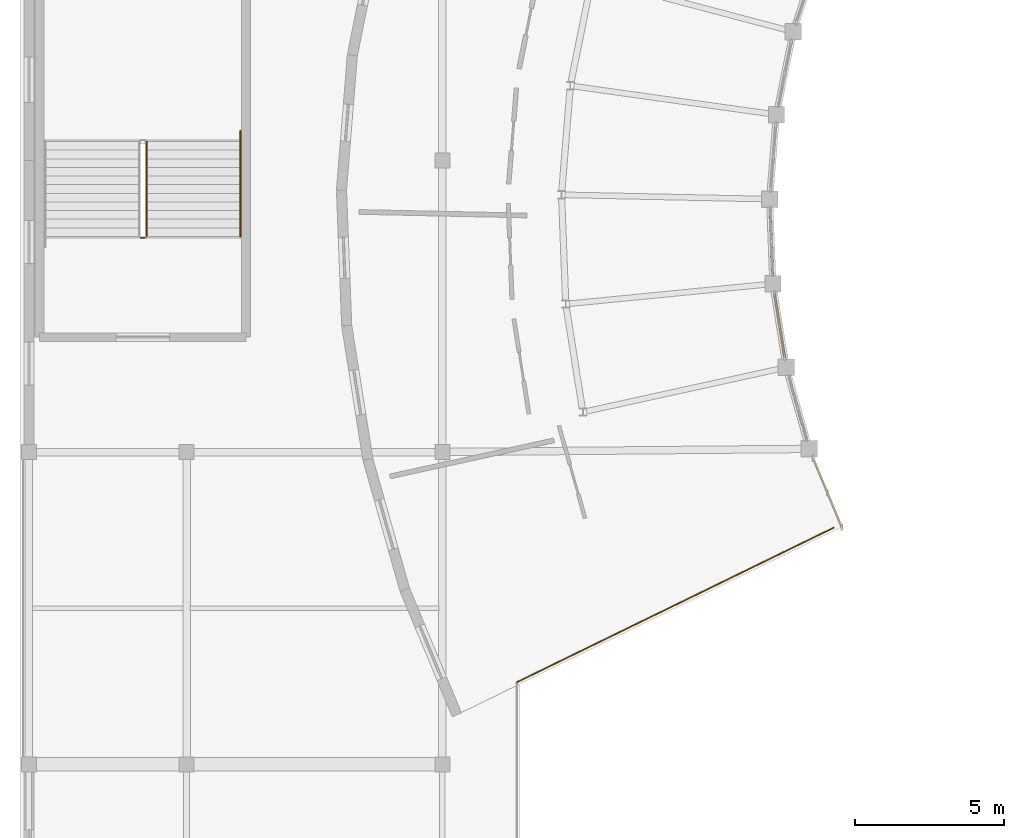
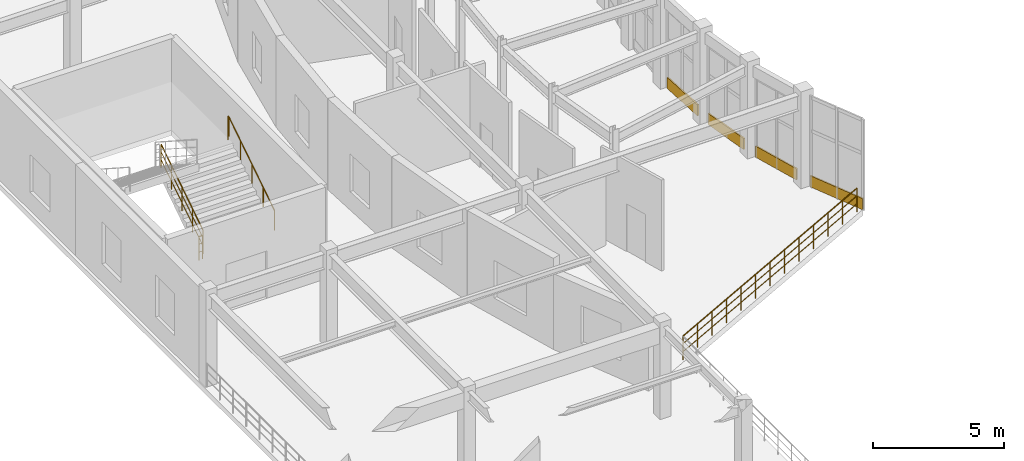
# One storey, part 102 of 112: 4 coverings, 4 railings.
"""IFC4 building model written with IfcOpenShell, lengths in metres."""

import ifcopenshell
import ifcopenshell.guid

model = None  # the IFC model being written
_history = None  # IfcOwnerHistory: only IFC2X3 demands one
_inside = {}  # id of a spatial element -> (the spatial element, [elements in it])
_under = {}  # id of a project, library or spatial element -> (it, [spatial elements below it])
_declared = {}  # id of a project -> (the project, [libraries it declares])
_typed = {}  # id of a type object -> (the type object, [elements of that type])
_made_of = {}  # id of a material, layer set ... -> (it, [elements and type objects made of it])


def new_model(schema):
    """Start an empty IFC model of exactly this schema.

    Asked for "IFC4X3", IfcOpenShell would pick the latest addendum, in which some entities
    have other attributes; the version numbers below select the first issue.
    IFC2X3 requires an IfcOwnerHistory on every rooted entity: one is made here for all.
    """
    global model, _history
    if schema == "IFC4X3":
        model = ifcopenshell.file(schema_version=(4, 3, 0, 0))
    else:
        model = ifcopenshell.file(schema=schema)
    _inside.clear()
    _under.clear()
    _declared.clear()
    _typed.clear()
    _made_of.clear()
    _history = None
    if model.schema == "IFC2X3":
        org = make("IfcOrganization", Name="unknown")
        user = make(
            "IfcPersonAndOrganization",
            ThePerson=make("IfcPerson", FamilyName="unknown"),
            TheOrganization=org,
        )
        app = make(
            "IfcApplication",
            ApplicationDeveloper=org,
            Version="unknown",
            ApplicationFullName="unknown",
            ApplicationIdentifier="unknown",
        )
        _history = make(
            "IfcOwnerHistory",
            OwningUser=user,
            OwningApplication=app,
            ChangeAction="ADDED",
            CreationDate=0,
        )
    return model


def make(cls, **values):
    """One entity of the class cls with the attributes given. An attribute that is None is left unset."""
    return model.create_entity(
        cls, **{name: value for name, value in values.items() if value is not None}
    )


def rooted(cls, **values):
    """An entity with a GlobalId (a new one), such as an element, a storey or a relation."""
    return make(cls, GlobalId=ifcopenshell.guid.new(), OwnerHistory=_history, **values)


def si_unit(unit_type, name, prefix=None):
    """IfcSIUnit, for example si_unit("LENGTHUNIT", "METRE", prefix="MILLI")."""
    return make("IfcSIUnit", UnitType=unit_type, Prefix=prefix, Name=name)


def assignment(units):
    """IfcUnitAssignment: the units of a project."""
    return None if units is None else make("IfcUnitAssignment", Units=units)


def point(xyz):
    """IfcCartesianPoint."""
    return None if xyz is None else make("IfcCartesianPoint", Coordinates=xyz)


def direction(xyz):
    """IfcDirection."""
    return None if xyz is None else make("IfcDirection", DirectionRatios=xyz)


def frame(location, z_axis=None, x_axis=None):
    """IfcAxis2Placement3D, a coordinate frame: its origin and axes. An axis left out is left unset."""
    return make(
        "IfcAxis2Placement3D",
        Location=point(location),
        Axis=direction(z_axis),
        RefDirection=direction(x_axis),
    )


def frame_2d(location, x_axis=None):
    """IfcAxis2Placement2D, a coordinate frame in the plane: its origin and x axis."""
    return make(
        "IfcAxis2Placement2D", Location=point(location), RefDirection=direction(x_axis)
    )


def origin():
    """The frame at (0, 0, 0) with its axes left unset."""
    return frame((0.0, 0.0, 0.0))


def origin_2d():
    """The frame at (0, 0) in the plane with its x axis left unset."""
    return frame_2d((0.0, 0.0))


def place(relative_to, where):
    """IfcLocalPlacement: puts the frame where relative to a parent placement (None: the world)."""
    return make(
        "IfcLocalPlacement", PlacementRelTo=relative_to, RelativePlacement=where
    )


def context(
    kind, dimensions, precision=None, world=None, true_north=None, identifier=None
):
    """IfcGeometricRepresentationContext, for example the 3D "Model" context."""
    return make(
        "IfcGeometricRepresentationContext",
        ContextIdentifier=identifier,
        ContextType=kind,
        CoordinateSpaceDimension=dimensions,
        Precision=precision,
        WorldCoordinateSystem=world,
        TrueNorth=true_north,
    )


def subcontext(parent, identifier, kind, view, scale=None):
    """IfcGeometricRepresentationSubContext, for example "Body" below "Model"."""
    return make(
        "IfcGeometricRepresentationSubContext",
        ContextIdentifier=identifier,
        ContextType=kind,
        ParentContext=parent,
        TargetScale=scale,
        TargetView=view,
    )


def project(units=None, contexts=None):
    """IfcProject with its units and contexts."""
    return rooted(
        "IfcProject",
        Name="project",
        RepresentationContexts=contexts,
        UnitsInContext=assignment(units),
    )


def spatial(cls, under=None, at=None, **own):
    """A site, building, storey or space (cls), placed at a placement, below another one or the project."""
    s = rooted(cls, ObjectPlacement=at, **own)
    if under is not None:
        _under.setdefault(under.id(), (under, []))[1].append(s)
    return s


def profile(cls, at=None, kind="AREA", **sizes):
    """A parametric profile (cls). Its sizes go by their IFC names, for example OverallWidth=200.0."""
    return make(cls, ProfileType=kind, Position=at, **sizes)


def rectangle(**sizes):
    """IfcRectangleProfileDef."""
    return profile("IfcRectangleProfileDef", **sizes)


def circle(**sizes):
    """IfcCircleProfileDef."""
    return profile("IfcCircleProfileDef", **sizes)


def extrude(swept, where, along, depth):
    """IfcExtrudedAreaSolid: the profile swept, set in the frame where, extruded along a direction by depth."""
    return make(
        "IfcExtrudedAreaSolid",
        SweptArea=swept,
        Position=where,
        ExtrudedDirection=direction(along),
        Depth=depth,
    )


def shape(context_of_items, identifier, shape_type, items):
    """IfcShapeRepresentation: the items that make up one representation, for example the "Body"."""
    return make(
        "IfcShapeRepresentation",
        ContextOfItems=context_of_items,
        RepresentationIdentifier=identifier,
        RepresentationType=shape_type,
        Items=items,
    )


def material(Name=None, Category=None):
    """IfcMaterial."""
    return make("IfcMaterial", Name=Name, Category=Category)


def layer(
    of_material, thickness, ventilated=None, Name=None, Category=None, Priority=None
):
    """IfcMaterialLayer: one layer of a wall or slab, of a material (None: an air gap)."""
    return make(
        "IfcMaterialLayer",
        Material=of_material,
        LayerThickness=thickness,
        IsVentilated=ventilated,
        Name=Name,
        Category=Category,
        Priority=Priority,
    )


def layer_set(layers, Name=None):
    """IfcMaterialLayerSet."""
    return make("IfcMaterialLayerSet", MaterialLayers=layers, LayerSetName=Name)


def made_of(thing, what):
    """Note that an element or type object is made of a material, layer set ...; save() writes the relation."""
    if what is not None:
        _made_of.setdefault(what.id(), (what, []))[1].append(thing)
    return thing


def type_object(cls, material=None, **own):
    """A type object (cls), such as IfcWallType, which elements share."""
    return made_of(rooted(cls, **own), material)


def element(
    cls,
    number,
    at=None,
    inside=None,
    cuts=None,
    type_object=None,
    material=None,
    context=None,
    identifier="Body",
    shape_type=None,
    held_by="IfcProductDefinitionShape",
    body=None,
    shapes=None,
    **own,
):
    """One element of the class cls, such as IfcWall. Its Tag is "e" and its number.

    at: its placement. inside: the storey or other place that contains it. cuts: it is an
    opening in that element (IfcRelVoidsElement). A single representation is given by context,
    identifier, shape_type and body (its items); several are given by shapes. held_by: the class
    of the entity that holds the representations. save() writes the other relations.
    """
    e = rooted(cls, Tag="e%d" % number, ObjectPlacement=at, **own)
    if body is not None:
        shapes = [shape(context, identifier, shape_type, body)]
    if shapes is not None:
        e.Representation = make(held_by, Representations=shapes)
    if inside is not None:
        _inside.setdefault(inside.id(), (inside, []))[1].append(e)
    if cuts is not None:
        rooted(
            "IfcRelVoidsElement", RelatingBuildingElement=cuts, RelatedOpeningElement=e
        )
    if type_object is not None:
        _typed.setdefault(type_object.id(), (type_object, []))[1].append(e)
    return made_of(e, material)


def aggregate(whole, parts):
    """IfcRelAggregates: a whole, such as a stair, and the parts it consists of."""
    return rooted("IfcRelAggregates", RelatingObject=whole, RelatedObjects=parts)


def save(model, path):
    """Write the relations noted so far, then the file.

    IfcRelAggregates (storeys below a building ...), IfcRelContainedInSpatialStructure (elements
    in a storey), IfcRelDefinesByType, IfcRelAssociatesMaterial and IfcRelDeclares: one each for
    every whole, place, type object, material and project.
    """
    for whole, parts in _under.values():
        aggregate(whole, parts)
    for where, things in _inside.values():
        rooted(
            "IfcRelContainedInSpatialStructure",
            RelatedElements=things,
            RelatingStructure=where,
        )
    for kind, things in _typed.values():
        rooted("IfcRelDefinesByType", RelatedObjects=things, RelatingType=kind)
    for what, things in _made_of.values():
        rooted("IfcRelAssociatesMaterial", RelatedObjects=things, RelatingMaterial=what)
    for by, libraries in _declared.values():
        rooted("IfcRelDeclares", RelatingContext=by, RelatedDefinitions=libraries)
    model.write(path)


model = new_model("IFC4")

# Units and contexts
model_context = context("Model", 3, precision=1e-05, world=origin(), true_north=direction((0.0, 1.0)))
body_context = subcontext(model_context, "Body", "Model", "MODEL_VIEW")
ifc_project = project(units=[si_unit("LENGTHUNIT", "METRE"), si_unit("AREAUNIT", "SQUARE_METRE"), si_unit("VOLUMEUNIT", "CUBIC_METRE"), si_unit("PLANEANGLEUNIT", "RADIAN"), si_unit("MASSUNIT", "GRAM", prefix="KILO")], contexts=[model_context])

# Site, building, storey
site_placement = place(None, origin())
site = spatial("IfcSite", under=ifc_project, at=site_placement, CompositionType="ELEMENT")
building_placement = place(site_placement, origin())
building = spatial("IfcBuilding", under=site, at=building_placement, Name="Cinderbank Siding Concert Hall", CompositionType="ELEMENT")
storey_placement = place(building_placement, frame((0.0, 0.0, 10.199951171875)))
storey = spatial("IfcBuildingStorey", under=building, at=storey_placement, Name="L03", CompositionType="ELEMENT", Elevation=10.199951171875)

# Coverings
ifc_material_1 = material(Name="Spotted gum glulam timber GL18 (42 MPa)", Category="wood")
ifc_layer = layer(ifc_material_1, 0.06494140625)
ifc_layer_set = layer_set([ifc_layer], Name="Spotted gum glulam timber GL18 (42 MPa)")
covering_type = type_object("IfcCoveringType", Name="CL-01 Spotted Gum Spandrel Band 520mm", PredefinedType="CLADDING", material=ifc_layer_set)
for number, where, z_axis, x_axis, name in (
    (1, (32.059814453125, 67.080322265625, 0.0), (0.0, 0.0, 1.0), (0.038360270672, -0.99926397395, 0.0), "CW-L03-134 Spotted Gum Spandrel Band"),
    (2, (32.337158203125, 64.252197265625, 0.0), (0.0, 0.0, 1.0), (0.156464041899, -0.987683655627, 0.0), "CW-L03-135 Spotted Gum Spandrel Band"),
    (3, (32.947509765625, 61.476806640625, 0.0), (0.0, 0.0, 1.0), (0.272275215509, -0.962219417295, 0.0), "CW-L03-136 Spotted Gum Spandrel Band"),
):
    element("IfcCovering", number, at=place(storey_placement, frame(where, z_axis=z_axis, x_axis=x_axis)), inside=storey, type_object=covering_type, Name=name, PredefinedType="CLADDING", context=body_context, shape_type="SweptSolid", body=[
        extrude(rectangle(XDim=2.166748046875, YDim=0.06494140625, at=origin_2d()), origin(), (0.0, 0.0, 1.0), 0.52001953125),
    ])
covering_placement = place(storey_placement, frame((33.947265625, 58.63623046875, 0.0), z_axis=(0.0, 0.0, 1.0), x_axis=(0.384273632219, -0.923219245673, 0.0)))
element("IfcCovering", 4, at=covering_placement, inside=storey, type_object=covering_type, Name="CW-L03-137 Spotted Gum Spandrel Band", PredefinedType="CLADDING", context=body_context, shape_type="SweptSolid", body=[
    extrude(rectangle(XDim=2.506591796875, YDim=0.06494140625, at=origin_2d()), origin(), (0.0, 0.0, 1.0), 0.52001953125),
])

# Railings
ifc_material_2 = material(Name="Structural steel AS/NZS 3679.1 Grade 350 (340 MPa)", Category="steel")
railing_type_1 = type_object("IfcRailingType", Name="GD-01 Terrace & Perimeter Guardrail 1120mm", PredefinedType="GUARDRAIL", material=ifc_material_2)
railing_1_placement = place(storey_placement, frame((34.15625, 57.45751953125, 0.0)))
element("IfcRailing", 5, at=railing_1_placement, inside=storey, type_object=railing_type_1, Name="L03 Perimeter Guardrail #73", PredefinedType="GUARDRAIL", context=body_context, shape_type="SweptSolid", body=[
    extrude(circle(Radius=0.02392578125, at=origin_2d()), frame((0.0, 0.0, 1.09619140625), z_axis=(-0.898790411729, -0.438378598683, 0.0), x_axis=(0.438378598683, -0.898790411729, 0.0)), (0.0, 0.0, 1.0), 11.856201171875),
    extrude(circle(Radius=0.01611328125, at=origin_2d()), frame((0.0, 0.0, 0.36962890625), z_axis=(-0.898790411729, -0.438378598683, 0.0), x_axis=(0.438378598683, -0.898790411729, 0.0)), (0.0, 0.0, 1.0), 11.856201171875),
    extrude(circle(Radius=0.01611328125, at=origin_2d()), frame((0.0, 0.0, 0.7392578125), z_axis=(-0.898790411729, -0.438378598683, 0.0), x_axis=(0.438378598683, -0.898790411729, 0.0)), (0.0, 0.0, 1.0), 11.856201171875),
    extrude(circle(Radius=0.02099609375, at=origin_2d()), origin(), (0.0, 0.0, 1.0), 1.072021484375),
    extrude(circle(Radius=0.02099609375, at=origin_2d()), frame((-0.887939453125, -0.43310546875, 0.0)), (0.0, 0.0, 1.0), 1.072021484375),
    extrude(circle(Radius=0.02099609375, at=origin_2d()), frame((-1.776123046875, -0.8662109375, 0.0)), (0.0, 0.0, 1.0), 1.072021484375),
    extrude(circle(Radius=0.02099609375, at=origin_2d()), frame((-2.6640625, -1.29931640625, 0.0)), (0.0, 0.0, 1.0), 1.072021484375),
    extrude(circle(Radius=0.02099609375, at=origin_2d()), frame((-3.552001953125, -1.732421875, 0.0)), (0.0, 0.0, 1.0), 1.072021484375),
    extrude(circle(Radius=0.02099609375, at=origin_2d()), frame((-4.440185546875, -2.16552734375, 0.0)), (0.0, 0.0, 1.0), 1.072021484375),
    extrude(circle(Radius=0.02099609375, at=origin_2d()), frame((-5.328125, -2.5986328125, 0.0)), (0.0, 0.0, 1.0), 1.072021484375),
    extrude(circle(Radius=0.02099609375, at=origin_2d()), frame((-6.216064453125, -3.031982421875, 0.0)), (0.0, 0.0, 1.0), 1.072021484375),
    extrude(circle(Radius=0.02099609375, at=origin_2d()), frame((-7.104248046875, -3.465087890625, 0.0)), (0.0, 0.0, 1.0), 1.072021484375),
    extrude(circle(Radius=0.02099609375, at=origin_2d()), frame((-7.9921875, -3.898193359375, 0.0)), (0.0, 0.0, 1.0), 1.072021484375),
    extrude(circle(Radius=0.02099609375, at=origin_2d()), frame((-8.880126953125, -4.331298828125, 0.0)), (0.0, 0.0, 1.0), 1.072021484375),
    extrude(circle(Radius=0.02099609375, at=origin_2d()), frame((-9.768310546875, -4.764404296875, 0.0)), (0.0, 0.0, 1.0), 1.072021484375),
    extrude(circle(Radius=0.02099609375, at=origin_2d()), frame((-10.65625, -5.197509765625, 0.0)), (0.0, 0.0, 1.0), 1.072021484375),
])
railing_type_2 = type_object("IfcRailingType", Name="STG-01 Stair Well Guardrail 1120mm", PredefinedType="GUARDRAIL", material=ifc_material_2)
railing_2_placement = place(storey_placement, frame((11.06005859375, 67.25, 0.1875)))
element("IfcRailing", 6, at=railing_2_placement, inside=storey, type_object=railing_type_2, Name="L03 ST-09 stair guard 1", PredefinedType="GUARDRAIL", context=body_context, shape_type="SweptSolid", body=[
    extrude(circle(Radius=0.02392578125, at=origin_2d()), frame((0.0, 0.0, 1.09619140625), z_axis=(0.0, 0.839759782654, 0.542958108362), x_axis=(-1.0, 0.0, 0.0)), (0.0, 0.0, 1.0), 3.798583984375),
    extrude(circle(Radius=0.01611328125, at=origin_2d()), frame((0.0, 0.0, 0.36962890625), z_axis=(0.0, 0.839759782654, 0.542958108362), x_axis=(-1.0, 0.0, 0.0)), (0.0, 0.0, 1.0), 3.798583984375),
    extrude(circle(Radius=0.01611328125, at=origin_2d()), frame((0.0, 0.0, 0.7392578125), z_axis=(0.0, 0.839759782654, 0.542958108362), x_axis=(-1.0, 0.0, 0.0)), (0.0, 0.0, 1.0), 3.798583984375),
    extrude(circle(Radius=0.02099609375, at=origin_2d()), origin(), (0.0, 0.0, 1.0), 1.072021484375),
    extrude(circle(Radius=0.02099609375, at=origin_2d()), frame((0.0, 0.79736328125, 0.515625)), (0.0, 0.0, 1.0), 1.072021484375),
    extrude(circle(Radius=0.02099609375, at=origin_2d()), frame((0.0, 1.594970703125, 1.03125)), (0.0, 0.0, 1.0), 1.072021484375),
    extrude(circle(Radius=0.02099609375, at=origin_2d()), frame((0.0, 2.392578125, 1.546875)), (0.0, 0.0, 1.0), 1.072021484375),
    extrude(circle(Radius=0.02099609375, at=origin_2d()), frame((0.0, 3.18994140625, 2.0625)), (0.0, 0.0, 1.0), 1.072021484375),
])
railing_3_placement = place(storey_placement, frame((11.010009765625, 67.199951171875, 0.0)))
element("IfcRailing", 7, at=railing_3_placement, inside=storey, type_object=railing_type_2, Name="L03 ST-09 stair guard 4", PredefinedType="GUARDRAIL", context=body_context, shape_type="SweptSolid", body=[
    extrude(circle(Radius=0.02392578125, at=origin_2d()), frame((0.0, 0.0, 1.09619140625), z_axis=(-1.0, 0.0, 0.0), x_axis=(0.0, -1.0, 0.0)), (0.0, 0.0, 1.0), 0.159912109375),
    extrude(circle(Radius=0.01611328125, at=origin_2d()), frame((0.0, 0.0, 0.36962890625), z_axis=(-1.0, 0.0, 0.0), x_axis=(0.0, -1.0, 0.0)), (0.0, 0.0, 1.0), 0.159912109375),
    extrude(circle(Radius=0.01611328125, at=origin_2d()), frame((0.0, 0.0, 0.7392578125), z_axis=(-1.0, 0.0, 0.0), x_axis=(0.0, -1.0, 0.0)), (0.0, 0.0, 1.0), 0.159912109375),
    extrude(circle(Radius=0.02099609375, at=origin_2d()), origin(), (0.0, 0.0, 1.0), 1.072021484375),
    extrude(circle(Radius=0.02099609375, at=origin_2d()), frame((-0.159912109375, 0.0, 0.0)), (0.0, 0.0, 1.0), 1.072021484375),
])
railing_type_3 = type_object("IfcRailingType", Name="STH-01 Stair Pitch Handrail 920mm", PredefinedType="HANDRAIL", material=ifc_material_2)
railing_4_placement = place(storey_placement, frame((14.2099609375, 67.25, 0.1875)))
element("IfcRailing", 8, at=railing_4_placement, inside=storey, type_object=railing_type_3, Name="L03 ST-09 stair handrail 1", PredefinedType="HANDRAIL", context=body_context, shape_type="SweptSolid", body=[
    extrude(circle(Radius=0.02392578125, at=origin_2d()), frame((0.0, 0.0, 0.89599609375), z_axis=(0.0, 0.839762940478, 0.542953224319), x_axis=(-1.0, 0.0, 0.0)), (0.0, 0.0, 1.0), 4.14404296875),
    extrude(circle(Radius=0.02392578125, at=origin_2d()), frame((0.0, 3.47998046875, 3.14599609375), z_axis=(0.0, 1.0, 0.0), x_axis=(-1.0, 0.0, 0.0)), (0.0, 0.0, 1.0), 0.06005859375),
    extrude(circle(Radius=0.02099609375, at=origin_2d()), origin(), (0.0, 0.0, 1.0), 0.871826171875),
    extrude(circle(Radius=0.02099609375, at=origin_2d()), frame((0.0, 0.8701171875, 0.5625)), (0.0, 0.0, 1.0), 0.871826171875),
    extrude(circle(Radius=0.02099609375, at=origin_2d()), frame((0.0, 1.739990234375, 1.125)), (0.0, 0.0, 1.0), 0.871826171875),
    extrude(circle(Radius=0.02099609375, at=origin_2d()), frame((0.0, 2.60986328125, 1.6875)), (0.0, 0.0, 1.0), 0.871826171875),
    extrude(circle(Radius=0.02099609375, at=origin_2d()), frame((0.0, 3.47998046875, 2.25)), (0.0, 0.0, 1.0), 0.871826171875),
    extrude(circle(Radius=0.02099609375, at=origin_2d()), frame((0.0, 3.5400390625, 2.0625)), (0.0, 0.0, 1.0), 1.059326171875),
])

save(model, "model.ifc")
